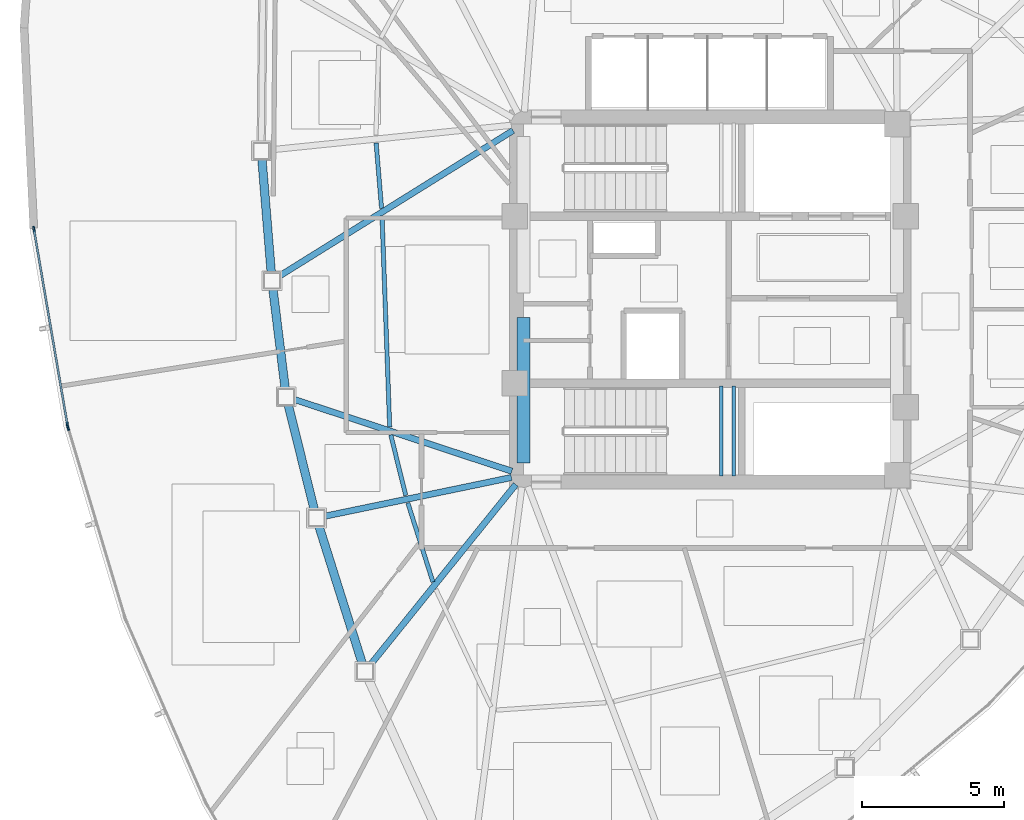
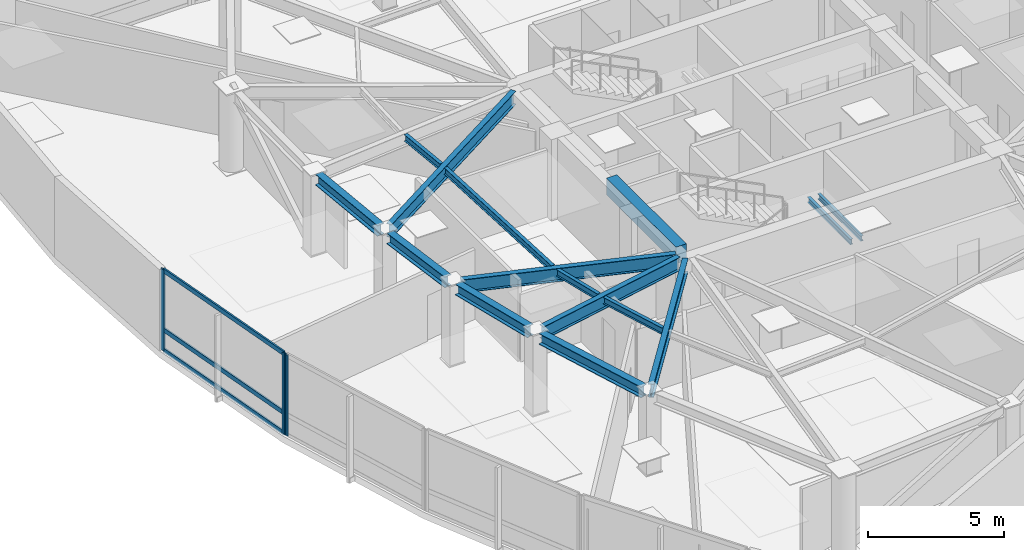
# One storey, part 4 of 15: 15 beams, 6 members, 2 elements without a shape of their own.
"""IFC4 building model written with IfcOpenShell, lengths in metres."""

from ifc_helpers import new_model, si_unit, direction, frame, origin, origin_2d, place, context, subcontext, project, spatial, rectangle, hollow_rectangle, i_section, extrude, source, transform, mapped, material, layer, layer_set, material_profile, profile_set, type_object, type_shapes, element, aggregate, save


model = new_model("IFC4")

# Units and contexts
model_context = context("Model", 3, precision=1e-05, world=origin(), true_north=direction((0.0, 1.0)))
body_context = subcontext(model_context, "Body", "Model", "MODEL_VIEW")
ifc_project = project(units=[si_unit("LENGTHUNIT", "METRE"), si_unit("AREAUNIT", "SQUARE_METRE"), si_unit("VOLUMEUNIT", "CUBIC_METRE"), si_unit("PLANEANGLEUNIT", "RADIAN"), si_unit("MASSUNIT", "GRAM", prefix="KILO")], contexts=[model_context])

# Site, building, storey
site_placement = place(None, origin())
site = spatial("IfcSite", under=ifc_project, at=site_placement, CompositionType="ELEMENT")
building_placement = place(site_placement, origin())
building = spatial("IfcBuilding", under=site, at=building_placement, Name="Tavelor Broadcast Tower", CompositionType="ELEMENT")
storey_placement = place(building_placement, frame((0.0, 0.0, 222.14990234375)))
storey = spatial("IfcBuildingStorey", under=building, at=storey_placement, Name="L52", CompositionType="ELEMENT", Elevation=222.14990234375)

# Beams
ifc_material_1 = material(Name="Concrete C40/50", Category="concrete")
ifc_material_profile_1 = material_profile(ifc_material_1, rectangle(XDim=0.449951171875, YDim=0.75, at=origin_2d()), Name="RC 450x750")
ifc_profile_set_1 = profile_set([ifc_material_profile_1], Name="Concrete C40/50")
beam_type_1 = type_object("IfcBeamType", Name="Basement Core Trim Beam 450x750", PredefinedType="BEAM", material=ifc_profile_set_1)
beam_1_placement = place(storey_placement, frame((43.39990234375, 39.23193359375, 3.275146484375), z_axis=(0.0, 1.0, 0.0), x_axis=(-1.0, 0.0, 0.0)))
element("IfcBeam", 1, at=beam_1_placement, inside=storey, type_object=beam_type_1, Name="L52 Core West-S Tie Girder", PredefinedType="BEAM", context=body_context, shape_type="SweptSolid", body=[
    extrude(rectangle(XDim=0.449951171875, YDim=0.75, at=origin_2d()), origin(), (0.0, 0.0, 1.0), 5.135986328125),
])
ifc_material_2 = material(Name="Steel S355", Category="steel")
ifc_material_profile_2 = material_profile(ifc_material_2, i_section(OverallWidth=0.14990234375, OverallDepth=0.300048828125, WebThickness=0.007080078125, FlangeThickness=0.0107421875, at=origin_2d()), Name="IPE 300")
ifc_profile_set_2 = profile_set([ifc_material_profile_2], Name="Steel S355")
beam_type_2 = type_object("IfcBeamType", Name="Composite Floor Joist T5 IPE 300", PredefinedType="JOIST", material=ifc_profile_set_2)
beam_2_placement = place(storey_placement, frame((38.19580078125, 50.529541015625, 3.5), z_axis=(0.082940684636, -0.996554485631, 0.0), x_axis=(0.996554485631, 0.082940684636, 0.0)))
element("IfcBeam", 2, at=beam_2_placement, inside=storey, type_object=beam_type_2, Name="L52 Secondary Composite Floor Joist 02", PredefinedType="JOIST", context=body_context, shape_type="SweptSolid", body=[
    extrude(i_section(OverallWidth=0.14990234375, OverallDepth=0.300048828125, WebThickness=0.007080078125, FlangeThickness=0.0107421875, at=origin_2d()), origin(), (0.0, 0.0, 1.0), 2.313720703125),
])
beam_3_placement = place(storey_placement, frame((38.404296875, 47.945556640625, 3.5), z_axis=(0.036223057878, -0.999343729694, 0.0), x_axis=(0.999343729694, 0.036223057878, 0.0)))
element("IfcBeam", 3, at=beam_3_placement, inside=storey, type_object=beam_type_2, Name="L52 Secondary Composite Floor Joist 03", PredefinedType="JOIST", context=body_context, shape_type="SweptSolid", body=[
    extrude(i_section(OverallWidth=0.14990234375, OverallDepth=0.300048828125, WebThickness=0.007080078125, FlangeThickness=0.0107421875, at=origin_2d()), origin(), (0.0, 0.0, 1.0), 7.454345703125),
])
beam_4_placement = place(storey_placement, frame((38.712646484375, 40.221435546875, 3.5), z_axis=(0.239592093356, -0.970873642037, 0.0), x_axis=(0.970873642037, 0.239592093356, 0.0)))
element("IfcBeam", 4, at=beam_4_placement, inside=storey, type_object=beam_type_2, Name="L52 Secondary Composite Floor Joist 04", PredefinedType="JOIST", context=body_context, shape_type="SweptSolid", body=[
    extrude(i_section(OverallWidth=0.14990234375, OverallDepth=0.300048828125, WebThickness=0.007080078125, FlangeThickness=0.0107421875, at=origin_2d()), origin(), (0.0, 0.0, 1.0), 2.2060546875),
])
beam_5_placement = place(storey_placement, frame((39.316650390625, 37.811279296875, 3.5), z_axis=(0.302412009178, -0.953177306017, 0.0), x_axis=(0.953177306017, 0.302412009178, 0.0)))
element("IfcBeam", 5, at=beam_5_placement, inside=storey, type_object=beam_type_2, Name="L52 Secondary Composite Floor Joist 05", PredefinedType="JOIST", context=body_context, shape_type="SweptSolid", body=[
    extrude(i_section(OverallWidth=0.14990234375, OverallDepth=0.300048828125, WebThickness=0.007080078125, FlangeThickness=0.0107421875, at=origin_2d()), origin(), (0.0, 0.0, 1.0), 2.92822265625),
])
ifc_material_profile_3 = material_profile(ifc_material_2, i_section(OverallWidth=0.300048828125, OverallDepth=0.489990234375, WebThickness=0.011962890625, FlangeThickness=0.02294921875, at=origin_2d()), Name="HEA 500")
ifc_profile_set_3 = profile_set([ifc_material_profile_3], Name="Steel S355")
beam_type_3 = type_object("IfcBeamType", Name="Perimeter Spandrel Beam T5 HEA 500", PredefinedType="SPANDREL", material=ifc_profile_set_3)
beam_6_placement = place(storey_placement, frame((34.16064453125, 49.968994140625, 3.405029296875), z_axis=(0.081762275835, -0.996651860105, 0.0), x_axis=(0.996651860105, 0.081762275835, 0.0)))
element("IfcBeam", 6, at=beam_6_placement, inside=storey, type_object=beam_type_3, Name="L52 Framed-Tube Ring Spandrel 02", PredefinedType="SPANDREL", context=body_context, shape_type="SweptSolid", body=[
    extrude(i_section(OverallWidth=0.300048828125, OverallDepth=0.489990234375, WebThickness=0.011962890625, FlangeThickness=0.02294921875, at=origin_2d()), origin(), (0.0, 0.0, 1.0), 4.031005859375),
])
beam_7_placement = place(storey_placement, frame((34.548828125, 45.378662109375, 3.405029296875), z_axis=(0.122285270418, -0.99249499376, 0.0), x_axis=(0.99249499376, 0.122285270418, 0.0)))
element("IfcBeam", 7, at=beam_7_placement, inside=storey, type_object=beam_type_3, Name="L52 Framed-Tube Ring Spandrel 03", PredefinedType="SPANDREL", context=body_context, shape_type="SweptSolid", body=[
    extrude(i_section(OverallWidth=0.300048828125, OverallDepth=0.489990234375, WebThickness=0.011962890625, FlangeThickness=0.02294921875, at=origin_2d()), origin(), (0.0, 0.0, 1.0), 3.5556640625),
])
beam_8_placement = place(storey_placement, frame((35.08837890625, 41.284423828125, 3.405029296875), z_axis=(0.24127750007, -0.970456164883, 0.0), x_axis=(0.970456164883, 0.24127750007, 0.0)))
element("IfcBeam", 8, at=beam_8_placement, inside=storey, type_object=beam_type_3, Name="L52 Framed-Tube Ring Spandrel 04", PredefinedType="SPANDREL", context=body_context, shape_type="SweptSolid", body=[
    extrude(i_section(OverallWidth=0.300048828125, OverallDepth=0.489990234375, WebThickness=0.011962890625, FlangeThickness=0.02294921875, at=origin_2d()), origin(), (0.0, 0.0, 1.0), 3.8359375),
])
beam_9_placement = place(storey_placement, frame((36.170166015625, 37.0078125, 3.405029296875), z_axis=(0.300957826527, -0.95363745032, 0.0), x_axis=(0.95363745032, 0.300957826527, 0.0)))
element("IfcBeam", 9, at=beam_9_placement, inside=storey, type_object=beam_type_3, Name="L52 Framed-Tube Ring Spandrel 05", PredefinedType="SPANDREL", context=body_context, shape_type="SweptSolid", body=[
    extrude(i_section(OverallWidth=0.300048828125, OverallDepth=0.489990234375, WebThickness=0.011962890625, FlangeThickness=0.02294921875, at=origin_2d()), origin(), (0.0, 0.0, 1.0), 5.1171875),
])
ifc_material_profile_4 = material_profile(ifc_material_2, i_section(OverallWidth=0.219970703125, OverallDepth=0.60009765625, WebThickness=0.011962890625, FlangeThickness=0.01904296875, at=origin_2d()), Name="IPE 600")
ifc_profile_set_4 = profile_set([ifc_material_profile_4], Name="Steel S355")
beam_type_4 = type_object("IfcBeamType", Name="Radial Floor Girder T5 IPE 600", PredefinedType="BEAM", material=ifc_profile_set_4)
beam_10_placement = place(storey_placement, frame((43.033203125, 50.9716796875, 3.35009765625), z_axis=(-0.848782406462, -0.528742306309, 0.0), x_axis=(0.528742306309, -0.848782406462, 0.0)))
element("IfcBeam", 10, at=beam_10_placement, inside=storey, type_object=beam_type_4, Name="L52 Radial Primary Floor Girder 03", PredefinedType="BEAM", context=body_context, shape_type="SweptSolid", body=[
    extrude(i_section(OverallWidth=0.219970703125, OverallDepth=0.60009765625, WebThickness=0.011962890625, FlangeThickness=0.01904296875, at=origin_2d()), origin(), (0.0, 0.0, 1.0), 9.7490234375),
])
beam_11_placement = place(storey_placement, frame((42.98974609375, 38.935302734375, 3.35009765625), z_axis=(-0.949693529109, 0.313180779692, 0.0), x_axis=(-0.313180779692, -0.949693529109, 0.0)))
element("IfcBeam", 11, at=beam_11_placement, inside=storey, type_object=beam_type_4, Name="L52 Radial Primary Floor Girder 04", PredefinedType="BEAM", context=body_context, shape_type="SweptSolid", body=[
    extrude(i_section(OverallWidth=0.219970703125, OverallDepth=0.60009765625, WebThickness=0.011962890625, FlangeThickness=0.01904296875, at=origin_2d()), origin(), (0.0, 0.0, 1.0), 8.10498046875),
])
beam_12_placement = place(storey_placement, frame((42.97705078125, 38.71240234375, 3.35009765625), z_axis=(-0.979152429868, -0.203126854658, 0.0), x_axis=(0.203126854658, -0.979152429868, 0.0)))
element("IfcBeam", 12, at=beam_12_placement, inside=storey, type_object=beam_type_4, Name="L52 Radial Primary Floor Girder 05", PredefinedType="BEAM", context=body_context, shape_type="SweptSolid", body=[
    extrude(i_section(OverallWidth=0.219970703125, OverallDepth=0.60009765625, WebThickness=0.011962890625, FlangeThickness=0.01904296875, at=origin_2d()), origin(), (0.0, 0.0, 1.0), 6.75244140625),
])
beam_13_placement = place(storey_placement, frame((43.12890625, 38.463623046875, 3.35009765625), z_axis=(-0.627821660469, -0.778357220463, 0.0), x_axis=(0.778357220463, -0.627821660469, 0.0)))
element("IfcBeam", 13, at=beam_13_placement, inside=storey, type_object=beam_type_4, Name="L52 Radial Primary Floor Girder 06", PredefinedType="BEAM", context=body_context, shape_type="SweptSolid", body=[
    extrude(i_section(OverallWidth=0.219970703125, OverallDepth=0.60009765625, WebThickness=0.011962890625, FlangeThickness=0.01904296875, at=origin_2d()), origin(), (0.0, 0.0, 1.0), 8.204833984375),
])
ifc_material_profile_5 = material_profile(ifc_material_2, i_section(OverallWidth=0.1201171875, OverallDepth=0.239990234375, WebThickness=0.006103515625, FlangeThickness=0.009765625, at=origin_2d()), Name="IPE 240")
ifc_profile_set_5 = profile_set([ifc_material_profile_5], Name="Steel S355")
beam_type_5 = type_object("IfcBeamType", Name="Stairwell Landing Support Trimmer Beam IPE240", PredefinedType="BEAM", material=ifc_profile_set_5)
for number, where, z_axis, x_axis, name in (
    (14, (50.385009765625, 38.760009765625, 1.66015625), (0.0, 1.0, 0.0), (-1.0, 0.0, 0.0), "L52 Stair Landing Support Beam 359"),
    (15, (50.824951171875, 38.760009765625, 1.66015625), (0.0, 1.0, 0.0), (-1.0, 0.0, 0.0), "L52 Stair Landing Support Beam 360"),
):
    element("IfcBeam", number, at=place(storey_placement, frame(where, z_axis=z_axis, x_axis=x_axis)), inside=storey, type_object=beam_type_5, Name=name, PredefinedType="BEAM", context=body_context, shape_type="SweptSolid", body=[
        extrude(i_section(OverallWidth=0.1201171875, OverallDepth=0.239990234375, WebThickness=0.006103515625, FlangeThickness=0.009765625, at=origin_2d()), origin(), (0.0, 0.0, 1.0), 3.179931640625),
    ])

# Curtain wall, members
ifc_material_3 = material(Name="Architectural Anodized Aluminium", Category="aluminium")
ifc_layer = layer(ifc_material_3, 0.199951171875)
ifc_layer_set = layer_set([ifc_layer], Name="Architectural Anodized Aluminium")
curtain_wall_type = type_object("IfcCurtainWallType", Name="Tower High-Zone Triple-Glazed Curtain Wall CW04", PredefinedType="NOTDEFINED", material=ifc_layer_set)
curtain_wall_1_placement = place(storey_placement, origin())
curtain_wall_1 = element("IfcCurtainWall", 16, at=curtain_wall_1_placement, inside=storey, type_object=curtain_wall_type, Name="L52 Curtain Wall CW04 Run 553", PredefinedType="NOTDEFINED")
ifc_material_profile_6 = material_profile(ifc_material_3, hollow_rectangle(XDim=0.070068359375, YDim=0.199951171875, WallThickness=0.02197265625, at=origin_2d()), Name="RHS 70x200x22")
ifc_profile_set_6 = profile_set([ifc_material_profile_6], Name="Architectural Anodized Aluminium")
member_type_1 = type_object("IfcMemberType", Name="CW04 Extruded Aluminium Mullion 70x200", PredefinedType="MULLION", material=ifc_profile_set_6)
shared_shape_1 = source(origin(), body_context, "Body", "SweptSolid", [
    extrude(hollow_rectangle(XDim=0.070068359375, YDim=0.199951171875, WallThickness=0.02197265625, at=origin_2d()), origin(), (0.0, 0.0, 1.0), 3.650146484375),
])
type_shapes(member_type_1, [shared_shape_1])
member_1_placement = place(storey_placement, frame((26.103515625, 47.48486328125, 0.0), z_axis=(0.0, 0.0, 1.0), x_axis=(0.985630377544, 0.168916425676, 0.0)))
member_1 = element("IfcMember", 17, at=member_1_placement, type_object=member_type_1, Name="CW04 mullion 1", PredefinedType="MULLION", context=body_context, shape_type="MappedRepresentation", body=[
    mapped(shared_shape_1, transform((0.0, 0.0, 0.0), scale=1.0)),
])
member_2_placement = place(storey_placement, frame((27.28857421875, 40.568603515625, 0.0), z_axis=(0.0, 0.0, 1.0), x_axis=(0.985630377544, 0.168916425676, 0.0)))
member_2 = element("IfcMember", 18, at=member_2_placement, type_object=member_type_1, Name="CW04 mullion 2", PredefinedType="MULLION", context=body_context, shape_type="MappedRepresentation", body=[
    mapped(shared_shape_1, transform((0.0, 0.0, 0.0), scale=1.0)),
])

# Curtain wall, member
curtain_wall_2_placement = place(storey_placement, origin())
curtain_wall_2 = element("IfcCurtainWall", 19, at=curtain_wall_2_placement, inside=storey, type_object=curtain_wall_type, Name="L52 Curtain Wall CW04 Run 554", PredefinedType="NOTDEFINED")
member_3_placement = place(storey_placement, frame((27.3115234375, 40.4716796875, 0.0), z_axis=(0.0, 0.0, 1.0), x_axis=(0.957944905452, 0.286952187862, 0.0)))
member_3 = element("IfcMember", 20, at=member_3_placement, type_object=member_type_1, Name="CW04 mullion 1", PredefinedType="MULLION", context=body_context, shape_type="MappedRepresentation", body=[
    mapped(shared_shape_1, transform((0.0, 0.0, 0.0), scale=1.0)),
])
aggregate(curtain_wall_2, [member_3])

# Member
ifc_material_profile_7 = material_profile(ifc_material_3, hollow_rectangle(XDim=0.070068359375, YDim=0.199951171875, WallThickness=0.02197265625, at=origin_2d()), Name="RHS 70x200x22")
ifc_profile_set_7 = profile_set([ifc_material_profile_7], Name="Architectural Anodized Aluminium")
member_type_2 = type_object("IfcMemberType", Name="CW04 Extruded Aluminium Transom 70x200", PredefinedType="USERDEFINED", material=ifc_profile_set_7)
shared_shape_2 = source(origin(), body_context, "Body", "SweptSolid", [
    extrude(hollow_rectangle(XDim=0.070068359375, YDim=0.199951171875, WallThickness=0.02197265625, at=origin_2d()), origin(), (0.0, 0.0, 1.0), 6.94677734375),
])
type_shapes(member_type_2, [shared_shape_2])
member_4_placement = place(storey_placement, frame((26.109375, 47.4501953125, 0.03515625), z_axis=(0.168905286813, -0.985632286447, 0.0), x_axis=(0.985632286447, 0.168905286813, 0.0)))
member_4 = element("IfcMember", 21, at=member_4_placement, type_object=member_type_2, Name="CW04 transom 1.1", ObjectType="TRANSOM", PredefinedType="USERDEFINED", context=body_context, shape_type="MappedRepresentation", body=[
    mapped(shared_shape_2, transform((0.0, 0.0, 0.0), scale=1.0)),
])

member_5_placement = place(storey_placement, frame((26.109375, 47.4501953125, 0.9501953125), z_axis=(0.168905286813, -0.985632286447, 0.0), x_axis=(0.985632286447, 0.168905286813, 0.0)))
member_5 = element("IfcMember", 22, at=member_5_placement, type_object=member_type_2, Name="CW04 transom 1.2", ObjectType="TRANSOM", PredefinedType="USERDEFINED", context=body_context, shape_type="MappedRepresentation", body=[
    mapped(shared_shape_2, transform((0.0, 0.0, 0.0), scale=1.0)),
])

member_6_placement = place(storey_placement, frame((26.109375, 47.4501953125, 3.614990234375), z_axis=(0.168905286813, -0.985632286447, 0.0), x_axis=(0.985632286447, 0.168905286813, 0.0)))
member_6 = element("IfcMember", 23, at=member_6_placement, type_object=member_type_2, Name="CW04 transom 1.3", ObjectType="TRANSOM", PredefinedType="USERDEFINED", context=body_context, shape_type="MappedRepresentation", body=[
    mapped(shared_shape_2, transform((0.0, 0.0, 0.0), scale=1.0)),
])

aggregate(curtain_wall_1, [member_1, member_2, member_4, member_5, member_6])

save(model, "model.ifc")
